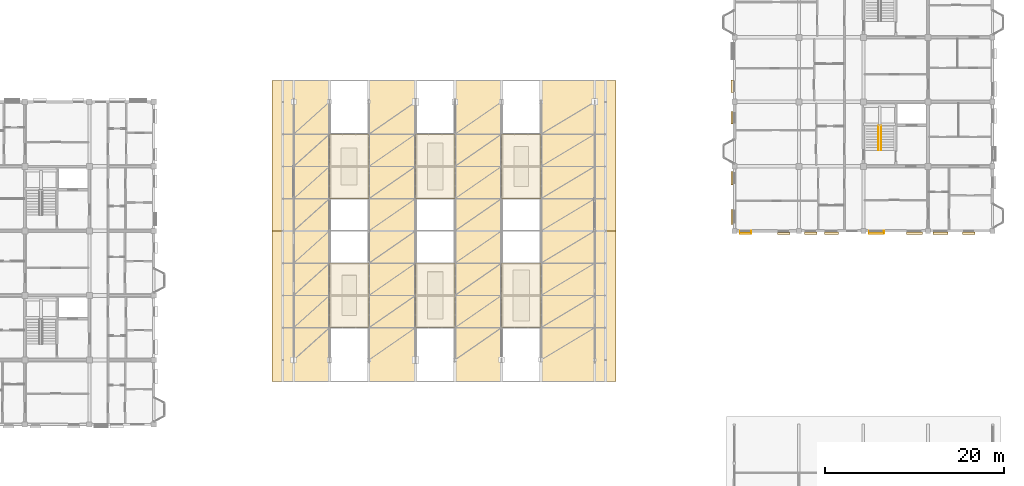
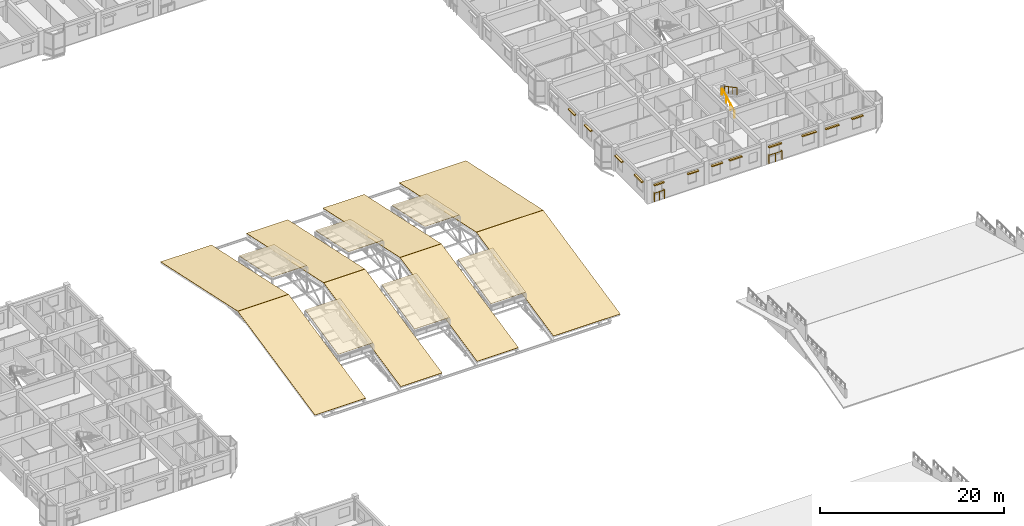
# One storey, part 119 of 124: 26 coverings, 4 railings.
"""IFC4 building model written with IfcOpenShell, lengths in metres."""

import ifcopenshell
import ifcopenshell.guid

model = None  # the IFC model being written
_history = None  # IfcOwnerHistory: only IFC2X3 demands one
_inside = {}  # id of a spatial element -> (the spatial element, [elements in it])
_under = {}  # id of a project, library or spatial element -> (it, [spatial elements below it])
_declared = {}  # id of a project -> (the project, [libraries it declares])
_typed = {}  # id of a type object -> (the type object, [elements of that type])
_made_of = {}  # id of a material, layer set ... -> (it, [elements and type objects made of it])


def new_model(schema):
    """Start an empty IFC model of exactly this schema.

    Asked for "IFC4X3", IfcOpenShell would pick the latest addendum, in which some entities
    have other attributes; the version numbers below select the first issue.
    IFC2X3 requires an IfcOwnerHistory on every rooted entity: one is made here for all.
    """
    global model, _history
    if schema == "IFC4X3":
        model = ifcopenshell.file(schema_version=(4, 3, 0, 0))
    else:
        model = ifcopenshell.file(schema=schema)
    _inside.clear()
    _under.clear()
    _declared.clear()
    _typed.clear()
    _made_of.clear()
    _history = None
    if model.schema == "IFC2X3":
        org = make("IfcOrganization", Name="unknown")
        user = make(
            "IfcPersonAndOrganization",
            ThePerson=make("IfcPerson", FamilyName="unknown"),
            TheOrganization=org,
        )
        app = make(
            "IfcApplication",
            ApplicationDeveloper=org,
            Version="unknown",
            ApplicationFullName="unknown",
            ApplicationIdentifier="unknown",
        )
        _history = make(
            "IfcOwnerHistory",
            OwningUser=user,
            OwningApplication=app,
            ChangeAction="ADDED",
            CreationDate=0,
        )
    return model


def make(cls, **values):
    """One entity of the class cls with the attributes given. An attribute that is None is left unset."""
    return model.create_entity(
        cls, **{name: value for name, value in values.items() if value is not None}
    )


def rooted(cls, **values):
    """An entity with a GlobalId (a new one), such as an element, a storey or a relation."""
    return make(cls, GlobalId=ifcopenshell.guid.new(), OwnerHistory=_history, **values)


def si_unit(unit_type, name, prefix=None):
    """IfcSIUnit, for example si_unit("LENGTHUNIT", "METRE", prefix="MILLI")."""
    return make("IfcSIUnit", UnitType=unit_type, Prefix=prefix, Name=name)


def assignment(units):
    """IfcUnitAssignment: the units of a project."""
    return None if units is None else make("IfcUnitAssignment", Units=units)


def point(xyz):
    """IfcCartesianPoint."""
    return None if xyz is None else make("IfcCartesianPoint", Coordinates=xyz)


def direction(xyz):
    """IfcDirection."""
    return None if xyz is None else make("IfcDirection", DirectionRatios=xyz)


def frame(location, z_axis=None, x_axis=None):
    """IfcAxis2Placement3D, a coordinate frame: its origin and axes. An axis left out is left unset."""
    return make(
        "IfcAxis2Placement3D",
        Location=point(location),
        Axis=direction(z_axis),
        RefDirection=direction(x_axis),
    )


def frame_2d(location, x_axis=None):
    """IfcAxis2Placement2D, a coordinate frame in the plane: its origin and x axis."""
    return make(
        "IfcAxis2Placement2D", Location=point(location), RefDirection=direction(x_axis)
    )


def origin():
    """The frame at (0, 0, 0) with its axes left unset."""
    return frame((0.0, 0.0, 0.0))


def origin_2d():
    """The frame at (0, 0) in the plane with its x axis left unset."""
    return frame_2d((0.0, 0.0))


def place(relative_to, where):
    """IfcLocalPlacement: puts the frame where relative to a parent placement (None: the world)."""
    return make(
        "IfcLocalPlacement", PlacementRelTo=relative_to, RelativePlacement=where
    )


def context(
    kind, dimensions, precision=None, world=None, true_north=None, identifier=None
):
    """IfcGeometricRepresentationContext, for example the 3D "Model" context."""
    return make(
        "IfcGeometricRepresentationContext",
        ContextIdentifier=identifier,
        ContextType=kind,
        CoordinateSpaceDimension=dimensions,
        Precision=precision,
        WorldCoordinateSystem=world,
        TrueNorth=true_north,
    )


def subcontext(parent, identifier, kind, view, scale=None):
    """IfcGeometricRepresentationSubContext, for example "Body" below "Model"."""
    return make(
        "IfcGeometricRepresentationSubContext",
        ContextIdentifier=identifier,
        ContextType=kind,
        ParentContext=parent,
        TargetScale=scale,
        TargetView=view,
    )


def project(units=None, contexts=None):
    """IfcProject with its units and contexts."""
    return rooted(
        "IfcProject",
        Name="project",
        RepresentationContexts=contexts,
        UnitsInContext=assignment(units),
    )


def spatial(cls, under=None, at=None, **own):
    """A site, building, storey or space (cls), placed at a placement, below another one or the project."""
    s = rooted(cls, ObjectPlacement=at, **own)
    if under is not None:
        _under.setdefault(under.id(), (under, []))[1].append(s)
    return s


def polyline(points):
    """IfcPolyline through the points."""
    return make("IfcPolyline", Points=[point(p) for p in points])


def profile(cls, at=None, kind="AREA", **sizes):
    """A parametric profile (cls). Its sizes go by their IFC names, for example OverallWidth=200.0."""
    return make(cls, ProfileType=kind, Position=at, **sizes)


def rectangle(**sizes):
    """IfcRectangleProfileDef."""
    return profile("IfcRectangleProfileDef", **sizes)


def circle(**sizes):
    """IfcCircleProfileDef."""
    return profile("IfcCircleProfileDef", **sizes)


def outline(outer, holes=None, kind="AREA"):
    """IfcArbitraryClosedProfileDef: a profile drawn as a closed curve; with holes, ...WithVoids."""
    if holes is None:
        return make("IfcArbitraryClosedProfileDef", ProfileType=kind, OuterCurve=outer)
    return make(
        "IfcArbitraryProfileDefWithVoids",
        ProfileType=kind,
        OuterCurve=outer,
        InnerCurves=holes,
    )


def extrude(swept, where, along, depth):
    """IfcExtrudedAreaSolid: the profile swept, set in the frame where, extruded along a direction by depth."""
    return make(
        "IfcExtrudedAreaSolid",
        SweptArea=swept,
        Position=where,
        ExtrudedDirection=direction(along),
        Depth=depth,
    )


def shape(context_of_items, identifier, shape_type, items):
    """IfcShapeRepresentation: the items that make up one representation, for example the "Body"."""
    return make(
        "IfcShapeRepresentation",
        ContextOfItems=context_of_items,
        RepresentationIdentifier=identifier,
        RepresentationType=shape_type,
        Items=items,
    )


def material(Name=None, Category=None):
    """IfcMaterial."""
    return make("IfcMaterial", Name=Name, Category=Category)


def layer(
    of_material, thickness, ventilated=None, Name=None, Category=None, Priority=None
):
    """IfcMaterialLayer: one layer of a wall or slab, of a material (None: an air gap)."""
    return make(
        "IfcMaterialLayer",
        Material=of_material,
        LayerThickness=thickness,
        IsVentilated=ventilated,
        Name=Name,
        Category=Category,
        Priority=Priority,
    )


def layer_set(layers, Name=None):
    """IfcMaterialLayerSet."""
    return make("IfcMaterialLayerSet", MaterialLayers=layers, LayerSetName=Name)


def made_of(thing, what):
    """Note that an element or type object is made of a material, layer set ...; save() writes the relation."""
    if what is not None:
        _made_of.setdefault(what.id(), (what, []))[1].append(thing)
    return thing


def type_object(cls, material=None, **own):
    """A type object (cls), such as IfcWallType, which elements share."""
    return made_of(rooted(cls, **own), material)


def element(
    cls,
    number,
    at=None,
    inside=None,
    cuts=None,
    type_object=None,
    material=None,
    context=None,
    identifier="Body",
    shape_type=None,
    held_by="IfcProductDefinitionShape",
    body=None,
    shapes=None,
    **own,
):
    """One element of the class cls, such as IfcWall. Its Tag is "e" and its number.

    at: its placement. inside: the storey or other place that contains it. cuts: it is an
    opening in that element (IfcRelVoidsElement). A single representation is given by context,
    identifier, shape_type and body (its items); several are given by shapes. held_by: the class
    of the entity that holds the representations. save() writes the other relations.
    """
    e = rooted(cls, Tag="e%d" % number, ObjectPlacement=at, **own)
    if body is not None:
        shapes = [shape(context, identifier, shape_type, body)]
    if shapes is not None:
        e.Representation = make(held_by, Representations=shapes)
    if inside is not None:
        _inside.setdefault(inside.id(), (inside, []))[1].append(e)
    if cuts is not None:
        rooted(
            "IfcRelVoidsElement", RelatingBuildingElement=cuts, RelatedOpeningElement=e
        )
    if type_object is not None:
        _typed.setdefault(type_object.id(), (type_object, []))[1].append(e)
    return made_of(e, material)


def aggregate(whole, parts):
    """IfcRelAggregates: a whole, such as a stair, and the parts it consists of."""
    return rooted("IfcRelAggregates", RelatingObject=whole, RelatedObjects=parts)


def save(model, path):
    """Write the relations noted so far, then the file.

    IfcRelAggregates (storeys below a building ...), IfcRelContainedInSpatialStructure (elements
    in a storey), IfcRelDefinesByType, IfcRelAssociatesMaterial and IfcRelDeclares: one each for
    every whole, place, type object, material and project.
    """
    for whole, parts in _under.values():
        aggregate(whole, parts)
    for where, things in _inside.values():
        rooted(
            "IfcRelContainedInSpatialStructure",
            RelatedElements=things,
            RelatingStructure=where,
        )
    for kind, things in _typed.values():
        rooted("IfcRelDefinesByType", RelatedObjects=things, RelatingType=kind)
    for what, things in _made_of.values():
        rooted("IfcRelAssociatesMaterial", RelatedObjects=things, RelatingMaterial=what)
    for by, libraries in _declared.values():
        rooted("IfcRelDeclares", RelatingContext=by, RelatedDefinitions=libraries)
    model.write(path)


model = new_model("IFC4")

# Units and contexts
model_context = context("Model", 3, precision=1e-05, world=origin(), true_north=direction((0.0, 1.0)))
body_context = subcontext(model_context, "Body", "Model", "MODEL_VIEW")
ifc_project = project(units=[si_unit("LENGTHUNIT", "METRE"), si_unit("AREAUNIT", "SQUARE_METRE"), si_unit("VOLUMEUNIT", "CUBIC_METRE"), si_unit("PLANEANGLEUNIT", "RADIAN"), si_unit("MASSUNIT", "GRAM", prefix="KILO"), si_unit("THERMODYNAMICTEMPERATUREUNIT", "KELVIN"), si_unit("POWERUNIT", "WATT")], contexts=[model_context])

# Site, building, storey
site_placement = place(None, origin())
site = spatial("IfcSite", under=ifc_project, at=site_placement, CompositionType="ELEMENT")
building_placement = place(site_placement, origin())
building = spatial("IfcBuilding", under=site, at=building_placement, Name="Tavuni Mirador Residences", CompositionType="ELEMENT")
storey_placement = place(building_placement, frame((0.0, 0.0, 7.64990234375)))
storey = spatial("IfcBuildingStorey", under=building, at=storey_placement, Name="L02", CompositionType="ELEMENT", Elevation=7.64990234375)

# Coverings
ifc_material_1 = material(Name="Natural coral limestone", Category="masonry")
ifc_layer_1 = layer(ifc_material_1, 0.054931640625, Name="Natural coral limestone", Category="masonry")
ifc_layer_set_1 = layer_set([ifc_layer_1], Name="Natural coral limestone")
covering_type_1 = type_object("IfcCoveringType", Name="CVT-CLAD-CORAL", PredefinedType="CLADDING", material=ifc_layer_set_1)
covering_1_placement = place(storey_placement, frame((91.199951171875, 86.12548828125, 2.1650390625), z_axis=(0.0, 0.0, 1.0), x_axis=(1.0, 0.0, 0.0)))
element("IfcCovering", 1, at=covering_1_placement, inside=storey, type_object=covering_type_1, Name="HOOD-0906", PredefinedType="CLADDING", context=body_context, shape_type="SweptSolid", body=[
    extrude(rectangle(XDim=1.239990234375, YDim=0.25, at=origin_2d()), origin(), (0.0, 0.0, 1.0), 0.14990234375),
])
for number, where, z_axis, x_axis, name in (
    (2, (95.47998046875, 86.12548828125, 2.1650390625), (0.0, 0.0, 1.0), (1.0, 0.0, 0.0), "HOOD-0907"),
    (3, (98.4951171875, 86.133056640625, 2.1650390625), (0.0, 0.0, 1.0), (1.0, 0.0, 0.0), "HOOD-0908"),
):
    element("IfcCovering", number, at=place(storey_placement, frame(where, z_axis=z_axis, x_axis=x_axis)), inside=storey, type_object=covering_type_1, Name=name, PredefinedType="CLADDING", context=body_context, shape_type="SweptSolid", body=[
        extrude(rectangle(XDim=1.39990234375, YDim=0.25, at=origin_2d()), origin(), (0.0, 0.0, 1.0), 0.14990234375),
    ])
covering_2_placement = place(storey_placement, frame((100.824951171875, 86.133056640625, 2.1650390625), z_axis=(0.0, 0.0, 1.0), x_axis=(1.0, 0.0, 0.0)))
element("IfcCovering", 4, at=covering_2_placement, inside=storey, type_object=covering_type_1, Name="HOOD-0909", PredefinedType="CLADDING", context=body_context, shape_type="SweptSolid", body=[
    extrude(rectangle(XDim=1.56005859375, YDim=0.25, at=origin_2d()), origin(), (0.0, 0.0, 1.0), 0.14990234375),
])
covering_3_placement = place(storey_placement, frame((105.800048828125, 86.140380859375, 2.1650390625), z_axis=(0.0, 0.0, 1.0), x_axis=(1.0, 0.0, 0.0)))
element("IfcCovering", 5, at=covering_3_placement, inside=storey, type_object=covering_type_1, Name="HOOD-0910", PredefinedType="CLADDING", context=body_context, shape_type="SweptSolid", body=[
    extrude(rectangle(XDim=1.639892578125, YDim=0.25, at=origin_2d()), origin(), (0.0, 0.0, 1.0), 0.14990234375),
])
covering_4_placement = place(storey_placement, frame((110.080078125, 86.140380859375, 2.1650390625), z_axis=(0.0, 0.0, 1.0), x_axis=(1.0, 0.0, 0.0)))
element("IfcCovering", 6, at=covering_4_placement, inside=storey, type_object=covering_type_1, Name="HOOD-0911", PredefinedType="CLADDING", context=body_context, shape_type="SweptSolid", body=[
    extrude(rectangle(XDim=1.800048828125, YDim=0.25, at=origin_2d()), origin(), (0.0, 0.0, 1.0), 0.14990234375),
])
covering_5_placement = place(storey_placement, frame((112.989990234375, 86.150390625, 2.065185546875), z_axis=(0.0, 0.0, 1.0), x_axis=(1.0, 0.0, 0.0)))
element("IfcCovering", 7, at=covering_5_placement, inside=storey, type_object=covering_type_1, Name="HOOD-0912", PredefinedType="CLADDING", context=body_context, shape_type="SweptSolid", body=[
    extrude(rectangle(XDim=1.699951171875, YDim=0.25, at=origin_2d()), origin(), (0.0, 0.0, 1.0), 0.14990234375),
])
for number, where, z_axis, x_axis, name in (
    (8, (116.14990234375, 86.150390625, 2.2451171875), (0.0, 0.0, 1.0), (1.0, 0.0, 0.0), "HOOD-0913"),
    (9, (89.740478515625, 102.52490234375, 2.2451171875), (0.0, 0.0, 1.0), (0.0, -1.0, 0.0), "HOOD-0942"),
):
    element("IfcCovering", number, at=place(storey_placement, frame(where, z_axis=z_axis, x_axis=x_axis)), inside=storey, type_object=covering_type_1, Name=name, PredefinedType="CLADDING", context=body_context, shape_type="SweptSolid", body=[
        extrude(rectangle(XDim=1.389892578125, YDim=0.25, at=origin_2d()), origin(), (0.0, 0.0, 1.0), 0.14990234375),
    ])
covering_6_placement = place(storey_placement, frame((89.72802734375, 99.02001953125, 2.240234375), z_axis=(0.0, 0.0, 1.0), x_axis=(0.0, -1.0, 0.0)))
element("IfcCovering", 10, at=covering_6_placement, inside=storey, type_object=covering_type_1, Name="HOOD-0943", PredefinedType="CLADDING", context=body_context, shape_type="SweptSolid", body=[
    extrude(rectangle(XDim=1.409912109375, YDim=0.260009765625, at=origin_2d()), origin(), (0.0, 0.0, 1.0), 0.159912109375),
])
covering_7_placement = place(storey_placement, frame((89.7255859375, 92.27490234375, 2.2451171875), z_axis=(0.0, 0.0, 1.0), x_axis=(0.0, -1.0, 0.0)))
element("IfcCovering", 11, at=covering_7_placement, inside=storey, type_object=covering_type_1, Name="HOOD-0944", PredefinedType="CLADDING", context=body_context, shape_type="SweptSolid", body=[
    extrude(rectangle(XDim=1.489990234375, YDim=0.25, at=origin_2d()), origin(), (0.0, 0.0, 1.0), 0.14990234375),
])
covering_8_placement = place(storey_placement, frame((89.7255859375, 87.97509765625, 2.2451171875), z_axis=(0.0, 0.0, 1.0), x_axis=(0.0, -1.0, 0.0)))
element("IfcCovering", 12, at=covering_8_placement, inside=storey, type_object=covering_type_1, Name="HOOD-0945", PredefinedType="CLADDING", context=body_context, shape_type="SweptSolid", body=[
    extrude(rectangle(XDim=1.68994140625, YDim=0.25, at=origin_2d()), origin(), (0.0, 0.0, 1.0), 0.14990234375),
])
ifc_material_2 = material(Name="Glazed ceramic roof tile", Category="masonry")
ifc_layer_2 = layer(ifc_material_2, 0.044921875, Name="Glazed ceramic roof tile", Category="masonry")
ifc_layer_set_2 = layer_set([ifc_layer_2], Name="Glazed ceramic roof tile")
covering_type_2 = type_object("IfcCoveringType", Name="CVT-ROOF-TILE", PredefinedType="ROOFING", material=ifc_layer_set_2)
for number, where, z_axis, x_axis, name in (
    (13, (38.39990234375, 69.60009765625, -0.021484375), (0.0, -0.210603732115, 0.977571515552), (1.0, 0.0, 0.0), "COV-RF-HALL-S1"),
    (14, (38.39990234375, 86.412109375, 3.59521484375), (0.0, 0.210603732115, 0.977571515552), (1.0, 0.0, 0.0), "COV-RF-HALL-N1"),
):
    element("IfcCovering", number, at=place(storey_placement, frame(where, z_axis=z_axis, x_axis=x_axis)), inside=storey, type_object=covering_type_2, Name=name, PredefinedType="ROOFING", context=body_context, shape_type="SweptSolid", body=[
        extrude(outline(polyline([(0.0, 0.0), (6.400146484375, 0.0), (6.400146484375, 17.173006301629606), (0.0, 17.173006301629606), (0.0, 0.0)])), origin(), (0.0, 0.0, -1.0), 0.044921875),
    ])
for number, where, z_axis, x_axis, name in (
    (15, (49.199951171875, 69.60009765625, -0.021484375), (0.0, -0.210603732115, 0.977571515552), (1.0, 0.0, 0.0), "COV-RF-HALL-S2"),
    (16, (49.199951171875, 86.412109375, 3.59521484375), (0.0, 0.210603732115, 0.977571515552), (1.0, 0.0, 0.0), "COV-RF-HALL-N2"),
    (17, (58.800048828125, 69.60009765625, -0.021484375), (0.0, -0.210603732115, 0.977571515552), (1.0, 0.0, 0.0), "COV-RF-HALL-S3"),
    (18, (58.800048828125, 86.412109375, 3.59521484375), (0.0, 0.210603732115, 0.977571515552), (1.0, 0.0, 0.0), "COV-RF-HALL-N3"),
):
    element("IfcCovering", number, at=place(storey_placement, frame(where, z_axis=z_axis, x_axis=x_axis)), inside=storey, type_object=covering_type_2, Name=name, PredefinedType="ROOFING", context=body_context, shape_type="SweptSolid", body=[
        extrude(outline(polyline([(0.0, 0.0), (5.199951171875, 0.0), (5.199951171875, 17.173006301629606), (0.0, 17.173006301629606), (0.0, 0.0)])), origin(), (0.0, 0.0, -1.0), 0.044921875),
    ])
for number, where, z_axis, x_axis, name in (
    (19, (68.39990234375, 69.60009765625, -0.021484375), (0.0, -0.210603732115, 0.977571515552), (1.0, 0.0, 0.0), "COV-RF-HALL-S4"),
    (20, (68.39990234375, 86.412109375, 3.59521484375), (0.0, 0.210603732115, 0.977571515552), (1.0, 0.0, 0.0), "COV-RF-HALL-N4"),
):
    element("IfcCovering", number, at=place(storey_placement, frame(where, z_axis=z_axis, x_axis=x_axis)), inside=storey, type_object=covering_type_2, Name=name, PredefinedType="ROOFING", context=body_context, shape_type="SweptSolid", body=[
        extrude(outline(polyline([(0.0, 0.0), (8.400146484375, 0.0), (8.400146484375, 17.173006301629606), (0.0, 17.173006301629606), (0.0, 0.0)])), origin(), (0.0, 0.0, -1.0), 0.044921875),
    ])
for number, where, z_axis, x_axis, name in (
    (21, (44.800048828125, 75.60009765625, 2.170166015625), (0.0, -0.21046396071, 0.977601616837), (1.0, 0.0, 0.0), "COV-RF-HALL-MON-S1"),
    (22, (44.800048828125, 90.0, 3.72021484375), (0.0, 0.21046396071, 0.977601616837), (1.0, 0.0, 0.0), "COV-RF-HALL-MON-N1"),
):
    element("IfcCovering", number, at=place(storey_placement, frame(where, z_axis=z_axis, x_axis=x_axis)), inside=storey, type_object=covering_type_2, Name=name, PredefinedType="ROOFING", context=body_context, shape_type="SweptSolid", body=[
        extrude(outline(polyline([(0.0, 0.0), (4.39990234375, 0.0), (4.39990234375, 7.364913322433324), (0.0, 7.364913322433324), (0.0, 0.0)])), origin(), (0.0, 0.0, -1.0), 0.044921875),
    ])
for number, where, z_axis, x_axis, name in (
    (23, (54.39990234375, 75.60009765625, 2.170166015625), (0.0, -0.21046396071, 0.977601616837), (1.0, 0.0, 0.0), "COV-RF-HALL-MON-S2"),
    (24, (54.39990234375, 90.0, 3.72021484375), (0.0, 0.21046396071, 0.977601616837), (1.0, 0.0, 0.0), "COV-RF-HALL-MON-N2"),
):
    element("IfcCovering", number, at=place(storey_placement, frame(where, z_axis=z_axis, x_axis=x_axis)), inside=storey, type_object=covering_type_2, Name=name, PredefinedType="ROOFING", context=body_context, shape_type="SweptSolid", body=[
        extrude(outline(polyline([(0.0, 0.0), (4.400146484375, 0.0), (4.400146484375, 7.364913322433325), (0.0, 7.364913322433325), (0.0, 0.0)])), origin(), (0.0, 0.0, -1.0), 0.044921875),
    ])
for number, where, z_axis, x_axis, name in (
    (25, (64.0, 75.60009765625, 2.170166015625), (0.0, -0.21046396071, 0.977601616837), (1.0, 0.0, 0.0), "COV-RF-HALL-MON-S3"),
    (26, (64.0, 90.0, 3.72021484375), (0.0, 0.21046396071, 0.977601616837), (1.0, 0.0, 0.0), "COV-RF-HALL-MON-N3"),
):
    element("IfcCovering", number, at=place(storey_placement, frame(where, z_axis=z_axis, x_axis=x_axis)), inside=storey, type_object=covering_type_2, Name=name, PredefinedType="ROOFING", context=body_context, shape_type="SweptSolid", body=[
        extrude(outline(polyline([(0.0, 0.0), (4.39990234375, 0.0), (4.39990234375, 7.364913322433324), (0.0, 7.364913322433324), (0.0, 0.0)])), origin(), (0.0, 0.0, -1.0), 0.044921875),
    ])

# Railings
ifc_material_3 = material(Name="Structural steel S355", Category="steel")
railing_type_1 = type_object("IfcRailingType", Name="RT-BL1150", PredefinedType="BALUSTRADE", material=ifc_material_3)
railing_1_placement = place(storey_placement, frame((90.64990234375, 86.39990234375, 0.0400390625)))
element("IfcRailing", 27, at=railing_1_placement, inside=storey, type_object=railing_type_1, Name="BALC-BLK-D-L02-S00", PredefinedType="BALUSTRADE", context=body_context, shape_type="SweptSolid", body=[
    extrude(circle(Radius=0.02392578125, at=origin_2d()), frame((0.0, 0.0, 1.1259765625), z_axis=(0.0, -1.0, 0.0), x_axis=(1.0, 0.0, 0.0)), (0.0, 0.0, 1.0), 0.29248046875),
    extrude(circle(Radius=0.02392578125, at=origin_2d()), frame((0.0, -0.29248046875, 1.1259765625), z_axis=(1.0, 0.0, 0.0), x_axis=(0.0, 1.0, 0.0)), (0.0, 0.0, 1.0), 1.22021484375),
    extrude(circle(Radius=0.02392578125, at=origin_2d()), frame((1.22021484375, -0.29248046875, 1.1259765625), z_axis=(0.0, 1.0, 0.0), x_axis=(-1.0, 0.0, 0.0)), (0.0, 0.0, 1.0), 0.29248046875),
    extrude(circle(Radius=0.02099609375, at=origin_2d()), origin(), (0.0, 0.0, 1.0), 1.101806640625),
    extrude(circle(Radius=0.02099609375, at=origin_2d()), frame((0.0, -0.29248046875, 0.0)), (0.0, 0.0, 1.0), 1.101806640625),
    extrude(circle(Radius=0.02099609375, at=origin_2d()), frame((0.610107421875, -0.29248046875, 0.0)), (0.0, 0.0, 1.0), 1.101806640625),
    extrude(circle(Radius=0.02099609375, at=origin_2d()), frame((1.22021484375, -0.29248046875, 0.0)), (0.0, 0.0, 1.0), 1.101806640625),
    extrude(circle(Radius=0.02099609375, at=origin_2d()), frame((1.22021484375, 0.0, 0.0)), (0.0, 0.0, 1.0), 1.101806640625),
])
railing_2_placement = place(storey_placement, frame((105.050048828125, 86.39990234375, 0.0400390625)))
element("IfcRailing", 28, at=railing_2_placement, inside=storey, type_object=railing_type_1, Name="BALC-BLK-D-L02-S02", PredefinedType="BALUSTRADE", context=body_context, shape_type="SweptSolid", body=[
    extrude(circle(Radius=0.02392578125, at=origin_2d()), frame((0.0, 0.0, 1.1259765625), z_axis=(0.0, -1.0, 0.0), x_axis=(1.0, 0.0, 0.0)), (0.0, 0.0, 1.0), 0.27734375),
    extrude(circle(Radius=0.02392578125, at=origin_2d()), frame((0.0, -0.27734375, 1.1259765625), z_axis=(1.0, 0.0, 0.0), x_axis=(0.0, 1.0, 0.0)), (0.0, 0.0, 1.0), 1.619873046875),
    extrude(circle(Radius=0.02392578125, at=origin_2d()), frame((1.619873046875, -0.27734375, 1.1259765625), z_axis=(0.0, 1.0, 0.0), x_axis=(-1.0, 0.0, 0.0)), (0.0, 0.0, 1.0), 0.27734375),
    extrude(circle(Radius=0.02099609375, at=origin_2d()), origin(), (0.0, 0.0, 1.0), 1.101806640625),
    extrude(circle(Radius=0.02099609375, at=origin_2d()), frame((0.0, -0.27734375, 0.0)), (0.0, 0.0, 1.0), 1.101806640625),
    extrude(circle(Radius=0.02099609375, at=origin_2d()), frame((0.81005859375, -0.27734375, 0.0)), (0.0, 0.0, 1.0), 1.101806640625),
    extrude(circle(Radius=0.02099609375, at=origin_2d()), frame((1.619873046875, -0.27734375, 0.0)), (0.0, 0.0, 1.0), 1.101806640625),
    extrude(circle(Radius=0.02099609375, at=origin_2d()), frame((1.619873046875, 0.0, 0.0)), (0.0, 0.0, 1.0), 1.101806640625),
])
railing_type_2 = type_object("IfcRailingType", Name="RT-HR920", PredefinedType="HANDRAIL", material=ifc_material_3)
railing_3_placement = place(storey_placement, frame((106.050048828125, 95.39990234375, 0.15771484375)))
element("IfcRailing", 29, at=railing_3_placement, inside=storey, type_object=railing_type_2, Name="HR-ST7-L02-F1", PredefinedType="HANDRAIL", context=body_context, shape_type="SweptSolid", body=[
    extrude(circle(Radius=0.02392578125, at=origin_2d()), frame((0.0, 0.0, 0.89599609375), z_axis=(0.0, 0.885414376231, 0.464802519747), x_axis=(-1.0, 0.0, 0.0)), (0.0, 0.0, 1.0), 3.049560546875),
    extrude(circle(Radius=0.02099609375, at=origin_2d()), origin(), (0.0, 0.0, 1.0), 0.871826171875),
    extrude(circle(Radius=0.02099609375, at=origin_2d()), frame((0.0, 0.900146484375, 0.472412109375)), (0.0, 0.0, 1.0), 0.871826171875),
    extrude(circle(Radius=0.02099609375, at=origin_2d()), frame((0.0, 1.800048828125, 0.945068359375)), (0.0, 0.0, 1.0), 0.871826171875),
    extrude(circle(Radius=0.02099609375, at=origin_2d()), frame((0.0, 2.7001953125, 1.41748046875)), (0.0, 0.0, 1.0), 0.871826171875),
])
railing_4_placement = place(storey_placement, frame((106.35009765625, 98.10009765625, 1.732666015625)))
element("IfcRailing", 30, at=railing_4_placement, inside=storey, type_object=railing_type_2, Name="HR-ST7-L02-F2", PredefinedType="HANDRAIL", context=body_context, shape_type="SweptSolid", body=[
    extrude(circle(Radius=0.02392578125, at=origin_2d()), frame((0.0, 0.0, 0.89599609375), z_axis=(0.0, -0.885414376231, 0.464802519747), x_axis=(1.0, 0.0, 0.0)), (0.0, 0.0, 1.0), 3.049560546875),
    extrude(circle(Radius=0.02099609375, at=origin_2d()), origin(), (0.0, 0.0, 1.0), 0.871826171875),
    extrude(circle(Radius=0.02099609375, at=origin_2d()), frame((0.0, -0.900146484375, 0.472412109375)), (0.0, 0.0, 1.0), 0.871826171875),
    extrude(circle(Radius=0.02099609375, at=origin_2d()), frame((0.0, -1.800048828125, 0.945068359375)), (0.0, 0.0, 1.0), 0.871826171875),
    extrude(circle(Radius=0.02099609375, at=origin_2d()), frame((0.0, -2.7001953125, 1.41748046875)), (0.0, 0.0, 1.0), 0.871826171875),
])

save(model, "model.ifc")
